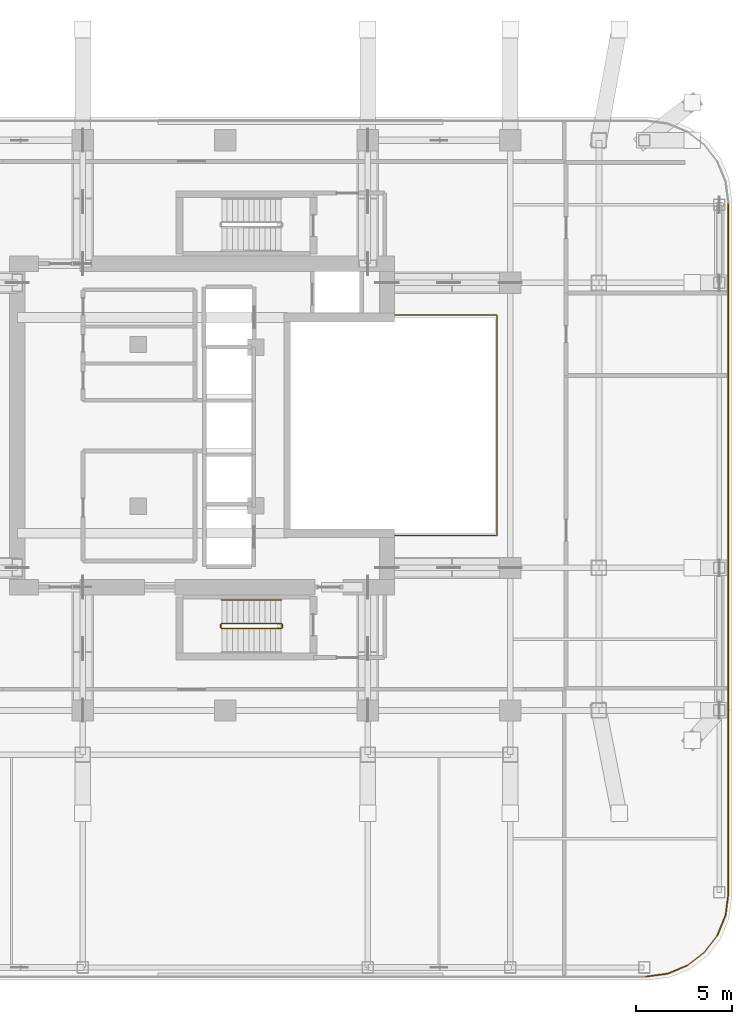
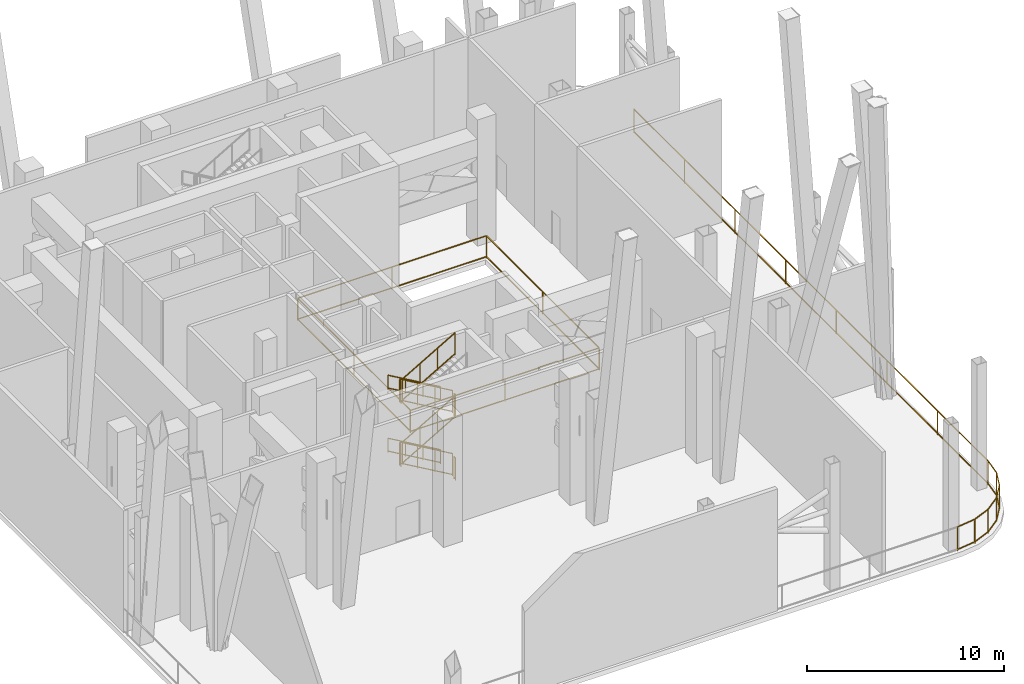
# One storey, part 8 of 9: 18 railings.
"""IFC4 building model written with IfcOpenShell, lengths in metres."""

from ifc_helpers import new_model, si_unit, direction, frame, origin, origin_2d, place, context, subcontext, project, spatial, rectangle, extrude, material, type_object, element, save


model = new_model("IFC4")

# Units and contexts
model_context = context("Model", 3, precision=1e-05, world=origin(), true_north=direction((0.0, 1.0)))
body_context = subcontext(model_context, "Body", "Model", "MODEL_VIEW")
ifc_project = project(units=[si_unit("LENGTHUNIT", "METRE"), si_unit("AREAUNIT", "SQUARE_METRE"), si_unit("VOLUMEUNIT", "CUBIC_METRE"), si_unit("PLANEANGLEUNIT", "RADIAN"), si_unit("MASSUNIT", "GRAM", prefix="KILO")], contexts=[model_context])

# Site, building, storey
site_placement = place(None, origin())
site = spatial("IfcSite", under=ifc_project, at=site_placement, CompositionType="ELEMENT")
building_placement = place(site_placement, origin())
building = spatial("IfcBuilding", under=site, at=building_placement, Name="Khorvyn Point Tower", CompositionType="ELEMENT")
storey_placement = place(building_placement, frame((0.0, 0.0, 235.199951171875)))
storey = spatial("IfcBuildingStorey", under=building, at=storey_placement, Name="L58", CompositionType="ELEMENT", Elevation=235.199951171875)

# Railings
ifc_material_1 = material(Name="Stainless steel 1.4401 and laminated glass", Category="steel")
railing_type_1 = type_object("IfcRailingType", Name="Crystal Atrium Smoke-Rated Perimeter Guardrail 1400", PredefinedType="GUARDRAIL", material=ifc_material_1)
railing_1_placement = place(storey_placement, frame((3.080078125, -5.719970703125, 0.0)))
element("IfcRailing", 1, at=railing_1_placement, inside=storey, type_object=railing_type_1, Name="L58 Crystal Atrium Perimeter Guardrail", PredefinedType="GUARDRAIL", context=body_context, shape_type="SweptSolid", body=[
    extrude(rectangle(XDim=0.048095703125, YDim=0.048095703125, at=origin_2d()), frame((0.0, 0.0, 1.3759765625), z_axis=(1.0, 0.0, 0.0), x_axis=(0.0, 1.0, 0.0)), (0.0, 0.0, 1.0), 11.0400390625),
    extrude(rectangle(XDim=0.048095703125, YDim=0.048095703125, at=origin_2d()), frame((0.0, 0.0, 0.080078125), z_axis=(1.0, 0.0, 0.0), x_axis=(0.0, 1.0, 0.0)), (0.0, 0.0, 1.0), 11.0400390625),
    extrude(rectangle(XDim=0.048095703125, YDim=0.048095703125, at=origin_2d()), frame((11.0400390625, 0.0, 1.3759765625), z_axis=(0.0, 1.0, 0.0), x_axis=(-1.0, 0.0, 0.0)), (0.0, 0.0, 1.0), 11.43994140625),
    extrude(rectangle(XDim=0.048095703125, YDim=0.048095703125, at=origin_2d()), frame((11.0400390625, 0.0, 0.080078125), z_axis=(0.0, 1.0, 0.0), x_axis=(-1.0, 0.0, 0.0)), (0.0, 0.0, 1.0), 11.43994140625),
    extrude(rectangle(XDim=0.048095703125, YDim=0.048095703125, at=origin_2d()), frame((11.0400390625, 11.43994140625, 1.3759765625), z_axis=(-1.0, 0.0, 0.0), x_axis=(0.0, -1.0, 0.0)), (0.0, 0.0, 1.0), 11.0400390625),
    extrude(rectangle(XDim=0.048095703125, YDim=0.048095703125, at=origin_2d()), frame((11.0400390625, 11.43994140625, 0.080078125), z_axis=(-1.0, 0.0, 0.0), x_axis=(0.0, -1.0, 0.0)), (0.0, 0.0, 1.0), 11.0400390625),
    extrude(rectangle(XDim=0.048095703125, YDim=0.048095703125, at=origin_2d()), frame((0.0, 11.43994140625, 1.3759765625), z_axis=(0.0, -1.0, 0.0), x_axis=(1.0, 0.0, 0.0)), (0.0, 0.0, 1.0), 11.409912109375),
    extrude(rectangle(XDim=0.048095703125, YDim=0.048095703125, at=origin_2d()), frame((0.0, 11.43994140625, 0.080078125), z_axis=(0.0, -1.0, 0.0), x_axis=(1.0, 0.0, 0.0)), (0.0, 0.0, 1.0), 11.409912109375),
    extrude(rectangle(XDim=0.0419921875, YDim=0.0419921875, at=origin_2d()), origin(), (0.0, 0.0, 1.0), 1.351806640625),
    extrude(rectangle(XDim=0.0419921875, YDim=0.0419921875, at=origin_2d()), frame((5.52001953125, 0.0, 0.0)), (0.0, 0.0, 1.0), 1.351806640625),
    extrude(rectangle(XDim=0.0419921875, YDim=0.0419921875, at=origin_2d()), frame((11.0400390625, 0.0, 0.0)), (0.0, 0.0, 1.0), 1.351806640625),
    extrude(rectangle(XDim=0.0419921875, YDim=0.0419921875, at=origin_2d()), frame((11.0400390625, 5.719970703125, 0.0)), (0.0, 0.0, 1.0), 1.351806640625),
    extrude(rectangle(XDim=0.0419921875, YDim=0.0419921875, at=origin_2d()), frame((11.0400390625, 11.43994140625, 0.0)), (0.0, 0.0, 1.0), 1.351806640625),
    extrude(rectangle(XDim=0.0419921875, YDim=0.0419921875, at=origin_2d()), frame((5.52001953125, 11.43994140625, 0.0)), (0.0, 0.0, 1.0), 1.351806640625),
    extrude(rectangle(XDim=0.0419921875, YDim=0.0419921875, at=origin_2d()), frame((0.0, 11.43994140625, 0.0)), (0.0, 0.0, 1.0), 1.351806640625),
    extrude(rectangle(XDim=0.0419921875, YDim=0.0419921875, at=origin_2d()), frame((0.0, 5.73486328125, 0.0)), (0.0, 0.0, 1.0), 1.351806640625),
    extrude(rectangle(XDim=0.0419921875, YDim=0.0419921875, at=origin_2d()), frame((0.0, 0.030029296875, 0.0)), (0.0, 0.0, 1.0), 1.351806640625),
])
ifc_material_2 = material(Name="Stainless steel 1.4401", Category="steel")
railing_type_2 = type_object("IfcRailingType", Name="School Terrace Anti-Climb Safety Guardrail 1500", PredefinedType="GUARDRAIL", material=ifc_material_2)
railing_2_placement = place(storey_placement, frame((21.855224609375, -28.620849609375, 0.0)))
element("IfcRailing", 2, at=railing_2_placement, inside=storey, type_object=railing_type_2, Name="L58 Open Wind-Floor Perimeter Guardrail 01", PredefinedType="GUARDRAIL", context=body_context, shape_type="SweptSolid", body=[
    extrude(rectangle(XDim=0.048095703125, YDim=0.048095703125, at=origin_2d()), frame((0.0, 0.0, 1.47607421875), z_axis=(0.991454295543, 0.130454512571, 0.0), x_axis=(-0.130454512571, 0.991454295543, 0.0)), (0.0, 0.0, 1.0), 1.113525390625),
    extrude(rectangle(XDim=0.048095703125, YDim=0.048095703125, at=origin_2d()), frame((0.0, 0.0, 0.080078125), z_axis=(0.991454295543, 0.130454512571, 0.0), x_axis=(-0.130454512571, 0.991454295543, 0.0)), (0.0, 0.0, 1.0), 1.113525390625),
    extrude(rectangle(XDim=0.0419921875, YDim=0.0419921875, at=origin_2d()), origin(), (0.0, 0.0, 1.0), 1.451904296875),
    extrude(rectangle(XDim=0.0419921875, YDim=0.0419921875, at=origin_2d()), frame((1.10400390625, 0.145263671875, 0.0)), (0.0, 0.0, 1.0), 1.451904296875),
])
railing_3_placement = place(storey_placement, frame((22.959228515625, -28.4755859375, 0.0)))
element("IfcRailing", 3, at=railing_3_placement, inside=storey, type_object=railing_type_2, Name="L58 Open Wind-Floor Perimeter Guardrail 02", PredefinedType="GUARDRAIL", context=body_context, shape_type="SweptSolid", body=[
    extrude(rectangle(XDim=0.048095703125, YDim=0.048095703125, at=origin_2d()), frame((0.0, 0.0, 1.47607421875), z_axis=(0.923840458949, 0.38277775067, 0.0), x_axis=(-0.38277775067, 0.923840458949, 0.0)), (0.0, 0.0, 1.0), 1.113525390625),
    extrude(rectangle(XDim=0.048095703125, YDim=0.048095703125, at=origin_2d()), frame((0.0, 0.0, 0.080078125), z_axis=(0.923840458949, 0.38277775067, 0.0), x_axis=(-0.38277775067, 0.923840458949, 0.0)), (0.0, 0.0, 1.0), 1.113525390625),
    extrude(rectangle(XDim=0.0419921875, YDim=0.0419921875, at=origin_2d()), origin(), (0.0, 0.0, 1.0), 1.451904296875),
    extrude(rectangle(XDim=0.0419921875, YDim=0.0419921875, at=origin_2d()), frame((1.02880859375, 0.42626953125, 0.0)), (0.0, 0.0, 1.0), 1.451904296875),
])
railing_4_placement = place(storey_placement, frame((23.988037109375, -28.04931640625, 0.0)))
element("IfcRailing", 4, at=railing_4_placement, inside=storey, type_object=railing_type_2, Name="L58 Open Wind-Floor Perimeter Guardrail 03", PredefinedType="GUARDRAIL", context=body_context, shape_type="SweptSolid", body=[
    extrude(rectangle(XDim=0.048095703125, YDim=0.048095703125, at=origin_2d()), frame((0.0, 0.0, 1.47607421875), z_axis=(0.793454597492, 0.608629445327, 0.0), x_axis=(-0.608629445327, 0.793454597492, 0.0)), (0.0, 0.0, 1.0), 1.113525390625),
    extrude(rectangle(XDim=0.048095703125, YDim=0.048095703125, at=origin_2d()), frame((0.0, 0.0, 0.080078125), z_axis=(0.793454597492, 0.608629445327, 0.0), x_axis=(-0.608629445327, 0.793454597492, 0.0)), (0.0, 0.0, 1.0), 1.113525390625),
    extrude(rectangle(XDim=0.0419921875, YDim=0.0419921875, at=origin_2d()), origin(), (0.0, 0.0, 1.0), 1.451904296875),
    extrude(rectangle(XDim=0.0419921875, YDim=0.0419921875, at=origin_2d()), frame((0.883544921875, 0.677734375, 0.0)), (0.0, 0.0, 1.0), 1.451904296875),
])
railing_5_placement = place(storey_placement, frame((24.87158203125, -27.37158203125, 0.0)))
element("IfcRailing", 5, at=railing_5_placement, inside=storey, type_object=railing_type_2, Name="L58 Open Wind-Floor Perimeter Guardrail 04", PredefinedType="GUARDRAIL", context=body_context, shape_type="SweptSolid", body=[
    extrude(rectangle(XDim=0.048095703125, YDim=0.048095703125, at=origin_2d()), frame((0.0, 0.0, 1.47607421875), z_axis=(0.608629445327, 0.793454597492, 0.0), x_axis=(-0.793454597492, 0.608629445327, 0.0)), (0.0, 0.0, 1.0), 1.113525390625),
    extrude(rectangle(XDim=0.048095703125, YDim=0.048095703125, at=origin_2d()), frame((0.0, 0.0, 0.080078125), z_axis=(0.608629445327, 0.793454597492, 0.0), x_axis=(-0.793454597492, 0.608629445327, 0.0)), (0.0, 0.0, 1.0), 1.113525390625),
    extrude(rectangle(XDim=0.0419921875, YDim=0.0419921875, at=origin_2d()), origin(), (0.0, 0.0, 1.0), 1.451904296875),
    extrude(rectangle(XDim=0.0419921875, YDim=0.0419921875, at=origin_2d()), frame((0.677734375, 0.883544921875, 0.0)), (0.0, 0.0, 1.0), 1.451904296875),
])
railing_6_placement = place(storey_placement, frame((25.54931640625, -26.488037109375, 0.0)))
element("IfcRailing", 6, at=railing_6_placement, inside=storey, type_object=railing_type_2, Name="L58 Open Wind-Floor Perimeter Guardrail 05", PredefinedType="GUARDRAIL", context=body_context, shape_type="SweptSolid", body=[
    extrude(rectangle(XDim=0.048095703125, YDim=0.048095703125, at=origin_2d()), frame((0.0, 0.0, 1.47607421875), z_axis=(0.38277775067, 0.923840458949, 0.0), x_axis=(-0.923840458949, 0.38277775067, 0.0)), (0.0, 0.0, 1.0), 1.113525390625),
    extrude(rectangle(XDim=0.048095703125, YDim=0.048095703125, at=origin_2d()), frame((0.0, 0.0, 0.080078125), z_axis=(0.38277775067, 0.923840458949, 0.0), x_axis=(-0.923840458949, 0.38277775067, 0.0)), (0.0, 0.0, 1.0), 1.113525390625),
    extrude(rectangle(XDim=0.0419921875, YDim=0.0419921875, at=origin_2d()), origin(), (0.0, 0.0, 1.0), 1.451904296875),
    extrude(rectangle(XDim=0.0419921875, YDim=0.0419921875, at=origin_2d()), frame((0.42626953125, 1.02880859375, 0.0)), (0.0, 0.0, 1.0), 1.451904296875),
])
railing_7_placement = place(storey_placement, frame((25.9755859375, -25.459228515625, 0.0)))
element("IfcRailing", 7, at=railing_7_placement, inside=storey, type_object=railing_type_2, Name="L58 Open Wind-Floor Perimeter Guardrail 06", PredefinedType="GUARDRAIL", context=body_context, shape_type="SweptSolid", body=[
    extrude(rectangle(XDim=0.048095703125, YDim=0.048095703125, at=origin_2d()), frame((0.0, 0.0, 1.47607421875), z_axis=(0.130454512571, 0.991454295543, 0.0), x_axis=(-0.991454295543, 0.130454512571, 0.0)), (0.0, 0.0, 1.0), 1.113525390625),
    extrude(rectangle(XDim=0.048095703125, YDim=0.048095703125, at=origin_2d()), frame((0.0, 0.0, 0.080078125), z_axis=(0.130454512571, 0.991454295543, 0.0), x_axis=(-0.991454295543, 0.130454512571, 0.0)), (0.0, 0.0, 1.0), 1.113525390625),
    extrude(rectangle(XDim=0.0419921875, YDim=0.0419921875, at=origin_2d()), origin(), (0.0, 0.0, 1.0), 1.451904296875),
    extrude(rectangle(XDim=0.0419921875, YDim=0.0419921875, at=origin_2d()), frame((0.145263671875, 1.10400390625, 0.0)), (0.0, 0.0, 1.0), 1.451904296875),
])
railing_8_placement = place(storey_placement, frame((26.120849609375, -24.355224609375, 0.0)))
element("IfcRailing", 8, at=railing_8_placement, inside=storey, type_object=railing_type_2, Name="L58 Open Wind-Floor Perimeter Guardrail 07", PredefinedType="GUARDRAIL", context=body_context, shape_type="SweptSolid", body=[
    extrude(rectangle(XDim=0.048095703125, YDim=0.048095703125, at=origin_2d()), frame((0.0, 0.0, 1.47607421875), z_axis=(0.0, 1.0, 0.0), x_axis=(-1.0, 0.0, 0.0)), (0.0, 0.0, 1.0), 35.910400390625),
    extrude(rectangle(XDim=0.048095703125, YDim=0.048095703125, at=origin_2d()), frame((0.0, 0.0, 0.080078125), z_axis=(0.0, 1.0, 0.0), x_axis=(-1.0, 0.0, 0.0)), (0.0, 0.0, 1.0), 35.910400390625),
    extrude(rectangle(XDim=0.0419921875, YDim=0.0419921875, at=origin_2d()), origin(), (0.0, 0.0, 1.0), 1.451904296875),
    extrude(rectangle(XDim=0.0419921875, YDim=0.0419921875, at=origin_2d()), frame((0.0, 5.130126953125, 0.0)), (0.0, 0.0, 1.0), 1.451904296875),
    extrude(rectangle(XDim=0.0419921875, YDim=0.0419921875, at=origin_2d()), frame((0.0, 10.260009765625, 0.0)), (0.0, 0.0, 1.0), 1.451904296875),
    extrude(rectangle(XDim=0.0419921875, YDim=0.0419921875, at=origin_2d()), frame((0.0, 15.39013671875, 0.0)), (0.0, 0.0, 1.0), 1.451904296875),
    extrude(rectangle(XDim=0.0419921875, YDim=0.0419921875, at=origin_2d()), frame((0.0, 20.520263671875, 0.0)), (0.0, 0.0, 1.0), 1.451904296875),
    extrude(rectangle(XDim=0.0419921875, YDim=0.0419921875, at=origin_2d()), frame((0.0, 25.650390625, 0.0)), (0.0, 0.0, 1.0), 1.451904296875),
    extrude(rectangle(XDim=0.0419921875, YDim=0.0419921875, at=origin_2d()), frame((0.0, 30.7802734375, 0.0)), (0.0, 0.0, 1.0), 1.451904296875),
    extrude(rectangle(XDim=0.0419921875, YDim=0.0419921875, at=origin_2d()), frame((0.0, 35.910400390625, 0.0)), (0.0, 0.0, 1.0), 1.451904296875),
])
ifc_material_3 = material(Name="Stainless steel 1.4301", Category="steel")
railing_type_3 = type_object("IfcRailingType", Name="Stainless Steel 304 Stair Pitch Handrail 900", PredefinedType="HANDRAIL", material=ifc_material_3)
railing_9_placement = place(storey_placement, frame((2.89990234375, -9.070068359375, 0.16259765625)))
element("IfcRailing", 9, at=railing_9_placement, inside=storey, type_object=railing_type_3, Name="L58 ST-01 stair handrail 1", PredefinedType="HANDRAIL", context=body_context, shape_type="SweptSolid", body=[
    extrude(rectangle(XDim=0.048095703125, YDim=0.048095703125, at=origin_2d()), frame((0.0, 0.0, 0.8759765625), z_axis=(-0.864903211148, 0.0, 0.501938676878), x_axis=(0.0, -1.0, 0.0)), (0.0, 0.0, 1.0), 3.560791015625),
    extrude(rectangle(XDim=0.048095703125, YDim=0.048095703125, at=origin_2d()), frame((0.0, 0.0, 0.080078125), z_axis=(-0.864903211148, 0.0, 0.501938676878), x_axis=(0.0, -1.0, 0.0)), (0.0, 0.0, 1.0), 3.560791015625),
    extrude(rectangle(XDim=0.0419921875, YDim=0.0419921875, at=origin_2d()), origin(), (0.0, 0.0, 1.0), 0.851806640625),
    extrude(rectangle(XDim=0.0419921875, YDim=0.0419921875, at=origin_2d()), frame((-1.026611328125, 0.0, 0.595703125)), (0.0, 0.0, 1.0), 0.851806640625),
    extrude(rectangle(XDim=0.0419921875, YDim=0.0419921875, at=origin_2d()), frame((-2.05322265625, 0.0, 1.191650390625)), (0.0, 0.0, 1.0), 0.851806640625),
    extrude(rectangle(XDim=0.0419921875, YDim=0.0419921875, at=origin_2d()), frame((-3.079833984375, 0.0, 1.787353515625)), (0.0, 0.0, 1.0), 0.851806640625),
])
railing_10_placement = place(storey_placement, frame((2.89990234375, -9.070068359375, 4.0625)))
element("IfcRailing", 10, at=railing_10_placement, inside=storey, type_object=railing_type_3, Name="L58 ST-01 stair handrail 3", PredefinedType="HANDRAIL", context=body_context, shape_type="SweptSolid", body=[
    extrude(rectangle(XDim=0.048095703125, YDim=0.048095703125, at=origin_2d()), frame((0.0, 0.0, 0.8759765625), z_axis=(-0.864873446163, 0.0, 0.501989962173), x_axis=(0.0, -1.0, 0.0)), (0.0, 0.0, 1.0), 3.56103515625),
    extrude(rectangle(XDim=0.048095703125, YDim=0.048095703125, at=origin_2d()), frame((0.0, 0.0, 0.080078125), z_axis=(-0.864873446163, 0.0, 0.501989962173), x_axis=(0.0, -1.0, 0.0)), (0.0, 0.0, 1.0), 3.56103515625),
    extrude(rectangle(XDim=0.0419921875, YDim=0.0419921875, at=origin_2d()), origin(), (0.0, 0.0, 1.0), 0.851806640625),
    extrude(rectangle(XDim=0.0419921875, YDim=0.0419921875, at=origin_2d()), frame((-1.026611328125, 0.0, 0.595947265625)), (0.0, 0.0, 1.0), 0.851806640625),
    extrude(rectangle(XDim=0.0419921875, YDim=0.0419921875, at=origin_2d()), frame((-2.05322265625, 0.0, 1.191650390625)), (0.0, 0.0, 1.0), 0.851806640625),
    extrude(rectangle(XDim=0.0419921875, YDim=0.0419921875, at=origin_2d()), frame((-3.079833984375, 0.0, 1.78759765625)), (0.0, 0.0, 1.0), 0.851806640625),
])
railing_type_4 = type_object("IfcRailingType", Name="Stainless Steel 304 Stair Well Guardrail 1400", PredefinedType="GUARDRAIL", material=ifc_material_3)
railing_11_placement = place(storey_placement, frame((2.89990234375, -10.2900390625, 0.16259765625)))
element("IfcRailing", 11, at=railing_11_placement, inside=storey, type_object=railing_type_4, Name="L58 ST-01 stair guard 1", PredefinedType="GUARDRAIL", context=body_context, shape_type="SweptSolid", body=[
    extrude(rectangle(XDim=0.048095703125, YDim=0.048095703125, at=origin_2d()), frame((0.0, 0.0, 1.3759765625), z_axis=(-0.864903211148, 0.0, 0.501938676878), x_axis=(0.0, -1.0, 0.0)), (0.0, 0.0, 1.0), 3.560791015625),
    extrude(rectangle(XDim=0.048095703125, YDim=0.048095703125, at=origin_2d()), frame((0.0, 0.0, 0.080078125), z_axis=(-0.864903211148, 0.0, 0.501938676878), x_axis=(0.0, -1.0, 0.0)), (0.0, 0.0, 1.0), 3.560791015625),
    extrude(rectangle(XDim=0.0419921875, YDim=0.0419921875, at=origin_2d()), origin(), (0.0, 0.0, 1.0), 1.351806640625),
    extrude(rectangle(XDim=0.0419921875, YDim=0.0419921875, at=origin_2d()), frame((-1.026611328125, 0.0, 0.595703125)), (0.0, 0.0, 1.0), 1.351806640625),
    extrude(rectangle(XDim=0.0419921875, YDim=0.0419921875, at=origin_2d()), frame((-2.05322265625, 0.0, 1.191650390625)), (0.0, 0.0, 1.0), 1.351806640625),
    extrude(rectangle(XDim=0.0419921875, YDim=0.0419921875, at=origin_2d()), frame((-3.079833984375, 0.0, 1.787353515625)), (0.0, 0.0, 1.0), 1.351806640625),
])
railing_12_placement = place(storey_placement, frame((-0.22998046875, -10.340087890625, 1.949951171875)))
element("IfcRailing", 12, at=railing_12_placement, inside=storey, type_object=railing_type_4, Name="L58 ST-01 stair guard 2", PredefinedType="GUARDRAIL", context=body_context, shape_type="SweptSolid", body=[
    extrude(rectangle(XDim=0.048095703125, YDim=0.048095703125, at=origin_2d()), frame((0.0, 0.0, 1.3759765625), z_axis=(0.0, -1.0, 0.0), x_axis=(1.0, 0.0, 0.0)), (0.0, 0.0, 1.0), 0.159912109375),
    extrude(rectangle(XDim=0.048095703125, YDim=0.048095703125, at=origin_2d()), frame((0.0, 0.0, 0.080078125), z_axis=(0.0, -1.0, 0.0), x_axis=(1.0, 0.0, 0.0)), (0.0, 0.0, 1.0), 0.159912109375),
    extrude(rectangle(XDim=0.0419921875, YDim=0.0419921875, at=origin_2d()), origin(), (0.0, 0.0, 1.0), 1.351806640625),
    extrude(rectangle(XDim=0.0419921875, YDim=0.0419921875, at=origin_2d()), frame((0.0, -0.159912109375, 0.0)), (0.0, 0.0, 1.0), 1.351806640625),
])
railing_13_placement = place(storey_placement, frame((-0.179931640625, -10.550048828125, 2.112548828125)))
element("IfcRailing", 13, at=railing_13_placement, inside=storey, type_object=railing_type_4, Name="L58 ST-01 stair guard 3", PredefinedType="GUARDRAIL", context=body_context, shape_type="SweptSolid", body=[
    extrude(rectangle(XDim=0.048095703125, YDim=0.048095703125, at=origin_2d()), frame((0.0, 0.0, 1.3759765625), z_axis=(0.864873446163, 0.0, 0.501989962173), x_axis=(0.0, 1.0, 0.0)), (0.0, 0.0, 1.0), 3.56103515625),
    extrude(rectangle(XDim=0.048095703125, YDim=0.048095703125, at=origin_2d()), frame((0.0, 0.0, 0.080078125), z_axis=(0.864873446163, 0.0, 0.501989962173), x_axis=(0.0, 1.0, 0.0)), (0.0, 0.0, 1.0), 3.56103515625),
    extrude(rectangle(XDim=0.0419921875, YDim=0.0419921875, at=origin_2d()), origin(), (0.0, 0.0, 1.0), 1.351806640625),
    extrude(rectangle(XDim=0.0419921875, YDim=0.0419921875, at=origin_2d()), frame((1.026611328125, 0.0, 0.595947265625)), (0.0, 0.0, 1.0), 1.351806640625),
    extrude(rectangle(XDim=0.0419921875, YDim=0.0419921875, at=origin_2d()), frame((2.05322265625, 0.0, 1.191650390625)), (0.0, 0.0, 1.0), 1.351806640625),
    extrude(rectangle(XDim=0.0419921875, YDim=0.0419921875, at=origin_2d()), frame((3.079833984375, 0.0, 1.78759765625)), (0.0, 0.0, 1.0), 1.351806640625),
])
railing_14_placement = place(storey_placement, frame((2.949951171875, -10.340087890625, 3.900146484375)))
element("IfcRailing", 14, at=railing_14_placement, inside=storey, type_object=railing_type_4, Name="L58 ST-01 stair guard 4", PredefinedType="GUARDRAIL", context=body_context, shape_type="SweptSolid", body=[
    extrude(rectangle(XDim=0.048095703125, YDim=0.048095703125, at=origin_2d()), frame((0.0, 0.0, 1.3759765625), z_axis=(0.0, -1.0, 0.0), x_axis=(1.0, 0.0, 0.0)), (0.0, 0.0, 1.0), 0.159912109375),
    extrude(rectangle(XDim=0.048095703125, YDim=0.048095703125, at=origin_2d()), frame((0.0, 0.0, 0.080078125), z_axis=(0.0, -1.0, 0.0), x_axis=(1.0, 0.0, 0.0)), (0.0, 0.0, 1.0), 0.159912109375),
    extrude(rectangle(XDim=0.0419921875, YDim=0.0419921875, at=origin_2d()), origin(), (0.0, 0.0, 1.0), 1.351806640625),
    extrude(rectangle(XDim=0.0419921875, YDim=0.0419921875, at=origin_2d()), frame((0.0, -0.159912109375, 0.0)), (0.0, 0.0, 1.0), 1.351806640625),
])
railing_15_placement = place(storey_placement, frame((2.89990234375, -10.2900390625, 4.0625)))
element("IfcRailing", 15, at=railing_15_placement, inside=storey, type_object=railing_type_4, Name="L58 ST-01 stair guard 5", PredefinedType="GUARDRAIL", context=body_context, shape_type="SweptSolid", body=[
    extrude(rectangle(XDim=0.048095703125, YDim=0.048095703125, at=origin_2d()), frame((0.0, 0.0, 1.3759765625), z_axis=(-0.864873446163, 0.0, 0.501989962173), x_axis=(0.0, -1.0, 0.0)), (0.0, 0.0, 1.0), 3.56103515625),
    extrude(rectangle(XDim=0.048095703125, YDim=0.048095703125, at=origin_2d()), frame((0.0, 0.0, 0.080078125), z_axis=(-0.864873446163, 0.0, 0.501989962173), x_axis=(0.0, -1.0, 0.0)), (0.0, 0.0, 1.0), 3.56103515625),
    extrude(rectangle(XDim=0.0419921875, YDim=0.0419921875, at=origin_2d()), origin(), (0.0, 0.0, 1.0), 1.351806640625),
    extrude(rectangle(XDim=0.0419921875, YDim=0.0419921875, at=origin_2d()), frame((-1.026611328125, 0.0, 0.595947265625)), (0.0, 0.0, 1.0), 1.351806640625),
    extrude(rectangle(XDim=0.0419921875, YDim=0.0419921875, at=origin_2d()), frame((-2.05322265625, 0.0, 1.191650390625)), (0.0, 0.0, 1.0), 1.351806640625),
    extrude(rectangle(XDim=0.0419921875, YDim=0.0419921875, at=origin_2d()), frame((-3.079833984375, 0.0, 1.78759765625)), (0.0, 0.0, 1.0), 1.351806640625),
])
railing_16_placement = place(storey_placement, frame((-0.22998046875, -10.340087890625, 5.85009765625)))
element("IfcRailing", 16, at=railing_16_placement, inside=storey, type_object=railing_type_4, Name="L58 ST-01 stair guard 6", PredefinedType="GUARDRAIL", context=body_context, shape_type="SweptSolid", body=[
    extrude(rectangle(XDim=0.048095703125, YDim=0.048095703125, at=origin_2d()), frame((0.0, 0.0, 1.3759765625), z_axis=(0.0, -1.0, 0.0), x_axis=(1.0, 0.0, 0.0)), (0.0, 0.0, 1.0), 0.159912109375),
    extrude(rectangle(XDim=0.048095703125, YDim=0.048095703125, at=origin_2d()), frame((0.0, 0.0, 0.080078125), z_axis=(0.0, -1.0, 0.0), x_axis=(1.0, 0.0, 0.0)), (0.0, 0.0, 1.0), 0.159912109375),
    extrude(rectangle(XDim=0.0419921875, YDim=0.0419921875, at=origin_2d()), origin(), (0.0, 0.0, 1.0), 1.351806640625),
    extrude(rectangle(XDim=0.0419921875, YDim=0.0419921875, at=origin_2d()), frame((0.0, -0.159912109375, 0.0)), (0.0, 0.0, 1.0), 1.351806640625),
])
railing_17_placement = place(storey_placement, frame((-0.179931640625, -10.550048828125, 6.012451171875)))
element("IfcRailing", 17, at=railing_17_placement, inside=storey, type_object=railing_type_4, Name="L58 ST-01 stair guard 7", PredefinedType="GUARDRAIL", context=body_context, shape_type="SweptSolid", body=[
    extrude(rectangle(XDim=0.048095703125, YDim=0.048095703125, at=origin_2d()), frame((0.0, 0.0, 1.3759765625), z_axis=(0.864873446163, 0.0, 0.501989962173), x_axis=(0.0, 1.0, 0.0)), (0.0, 0.0, 1.0), 3.56103515625),
    extrude(rectangle(XDim=0.048095703125, YDim=0.048095703125, at=origin_2d()), frame((0.0, 0.0, 0.080078125), z_axis=(0.864873446163, 0.0, 0.501989962173), x_axis=(0.0, 1.0, 0.0)), (0.0, 0.0, 1.0), 3.56103515625),
    extrude(rectangle(XDim=0.0419921875, YDim=0.0419921875, at=origin_2d()), origin(), (0.0, 0.0, 1.0), 1.351806640625),
    extrude(rectangle(XDim=0.0419921875, YDim=0.0419921875, at=origin_2d()), frame((1.026611328125, 0.0, 0.595947265625)), (0.0, 0.0, 1.0), 1.351806640625),
    extrude(rectangle(XDim=0.0419921875, YDim=0.0419921875, at=origin_2d()), frame((2.05322265625, 0.0, 1.191650390625)), (0.0, 0.0, 1.0), 1.351806640625),
    extrude(rectangle(XDim=0.0419921875, YDim=0.0419921875, at=origin_2d()), frame((3.079833984375, 0.0, 1.78759765625)), (0.0, 0.0, 1.0), 1.351806640625),
])
railing_18_placement = place(storey_placement, frame((2.949951171875, -10.340087890625, 0.0)))
element("IfcRailing", 18, at=railing_18_placement, inside=storey, type_object=railing_type_4, Name="L58 ST-01 stair guard 8", PredefinedType="GUARDRAIL", context=body_context, shape_type="SweptSolid", body=[
    extrude(rectangle(XDim=0.048095703125, YDim=0.048095703125, at=origin_2d()), frame((0.0, 0.0, 1.3759765625), z_axis=(0.0, -1.0, 0.0), x_axis=(1.0, 0.0, 0.0)), (0.0, 0.0, 1.0), 0.159912109375),
    extrude(rectangle(XDim=0.048095703125, YDim=0.048095703125, at=origin_2d()), frame((0.0, 0.0, 0.080078125), z_axis=(0.0, -1.0, 0.0), x_axis=(1.0, 0.0, 0.0)), (0.0, 0.0, 1.0), 0.159912109375),
    extrude(rectangle(XDim=0.0419921875, YDim=0.0419921875, at=origin_2d()), origin(), (0.0, 0.0, 1.0), 1.351806640625),
    extrude(rectangle(XDim=0.0419921875, YDim=0.0419921875, at=origin_2d()), frame((0.0, -0.159912109375, 0.0)), (0.0, 0.0, 1.0), 1.351806640625),
])

save(model, "model.ifc")
